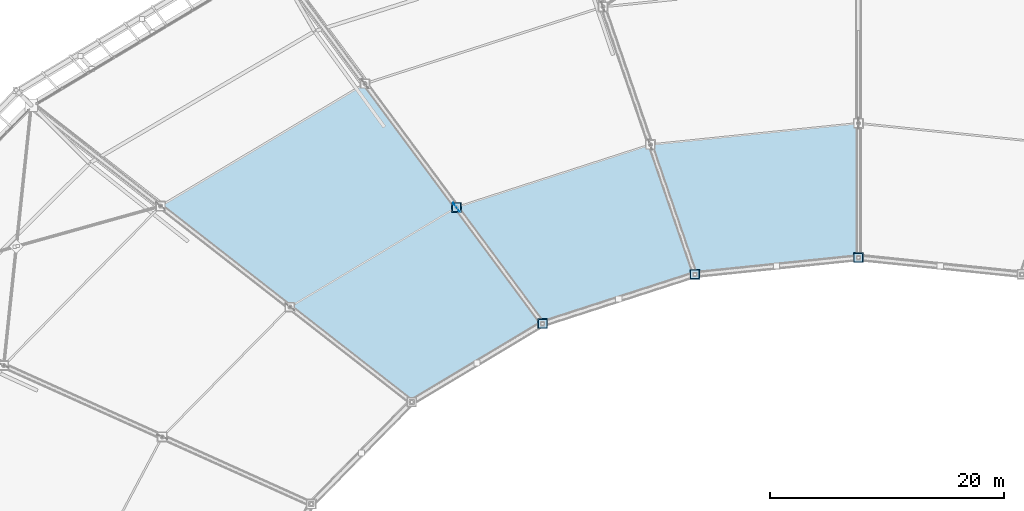
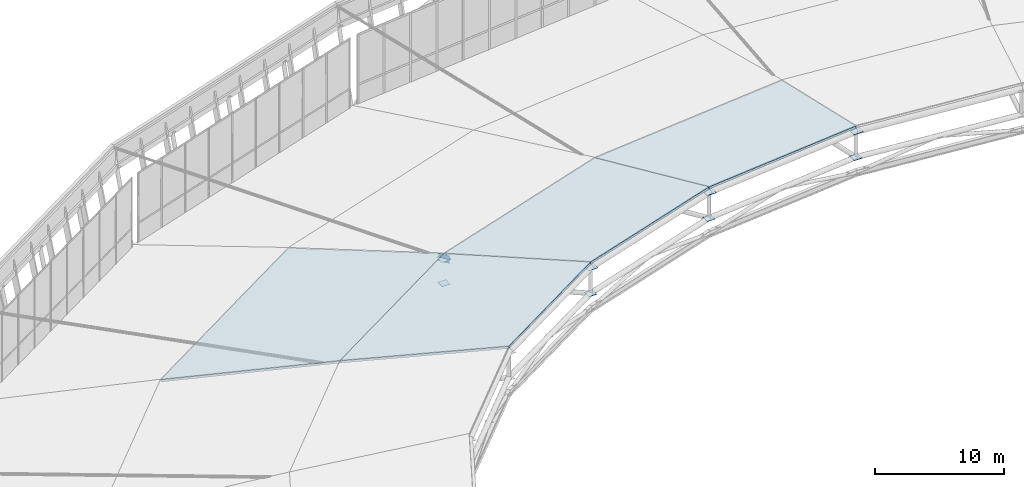
# One storey, part 88 of 115: 9 plates, 4 slabs, 1 element without a shape of its own.
"""IFC4 building model written with IfcOpenShell, lengths in metres."""

import ifcopenshell
import ifcopenshell.guid

model = None  # the IFC model being written
_history = None  # IfcOwnerHistory: only IFC2X3 demands one
_inside = {}  # id of a spatial element -> (the spatial element, [elements in it])
_under = {}  # id of a project, library or spatial element -> (it, [spatial elements below it])
_declared = {}  # id of a project -> (the project, [libraries it declares])
_typed = {}  # id of a type object -> (the type object, [elements of that type])
_made_of = {}  # id of a material, layer set ... -> (it, [elements and type objects made of it])


def new_model(schema):
    """Start an empty IFC model of exactly this schema.

    Asked for "IFC4X3", IfcOpenShell would pick the latest addendum, in which some entities
    have other attributes; the version numbers below select the first issue.
    IFC2X3 requires an IfcOwnerHistory on every rooted entity: one is made here for all.
    """
    global model, _history
    if schema == "IFC4X3":
        model = ifcopenshell.file(schema_version=(4, 3, 0, 0))
    else:
        model = ifcopenshell.file(schema=schema)
    _inside.clear()
    _under.clear()
    _declared.clear()
    _typed.clear()
    _made_of.clear()
    _history = None
    if model.schema == "IFC2X3":
        org = make("IfcOrganization", Name="unknown")
        user = make(
            "IfcPersonAndOrganization",
            ThePerson=make("IfcPerson", FamilyName="unknown"),
            TheOrganization=org,
        )
        app = make(
            "IfcApplication",
            ApplicationDeveloper=org,
            Version="unknown",
            ApplicationFullName="unknown",
            ApplicationIdentifier="unknown",
        )
        _history = make(
            "IfcOwnerHistory",
            OwningUser=user,
            OwningApplication=app,
            ChangeAction="ADDED",
            CreationDate=0,
        )
    return model


def make(cls, **values):
    """One entity of the class cls with the attributes given. An attribute that is None is left unset."""
    return model.create_entity(
        cls, **{name: value for name, value in values.items() if value is not None}
    )


def rooted(cls, **values):
    """An entity with a GlobalId (a new one), such as an element, a storey or a relation."""
    return make(cls, GlobalId=ifcopenshell.guid.new(), OwnerHistory=_history, **values)


def si_unit(unit_type, name, prefix=None):
    """IfcSIUnit, for example si_unit("LENGTHUNIT", "METRE", prefix="MILLI")."""
    return make("IfcSIUnit", UnitType=unit_type, Prefix=prefix, Name=name)


def assignment(units):
    """IfcUnitAssignment: the units of a project."""
    return None if units is None else make("IfcUnitAssignment", Units=units)


def point(xyz):
    """IfcCartesianPoint."""
    return None if xyz is None else make("IfcCartesianPoint", Coordinates=xyz)


def direction(xyz):
    """IfcDirection."""
    return None if xyz is None else make("IfcDirection", DirectionRatios=xyz)


def frame(location, z_axis=None, x_axis=None):
    """IfcAxis2Placement3D, a coordinate frame: its origin and axes. An axis left out is left unset."""
    return make(
        "IfcAxis2Placement3D",
        Location=point(location),
        Axis=direction(z_axis),
        RefDirection=direction(x_axis),
    )


def frame_2d(location, x_axis=None):
    """IfcAxis2Placement2D, a coordinate frame in the plane: its origin and x axis."""
    return make(
        "IfcAxis2Placement2D", Location=point(location), RefDirection=direction(x_axis)
    )


def origin():
    """The frame at (0, 0, 0) with its axes left unset."""
    return frame((0.0, 0.0, 0.0))


def origin_2d():
    """The frame at (0, 0) in the plane with its x axis left unset."""
    return frame_2d((0.0, 0.0))


def place(relative_to, where):
    """IfcLocalPlacement: puts the frame where relative to a parent placement (None: the world)."""
    return make(
        "IfcLocalPlacement", PlacementRelTo=relative_to, RelativePlacement=where
    )


def context(
    kind, dimensions, precision=None, world=None, true_north=None, identifier=None
):
    """IfcGeometricRepresentationContext, for example the 3D "Model" context."""
    return make(
        "IfcGeometricRepresentationContext",
        ContextIdentifier=identifier,
        ContextType=kind,
        CoordinateSpaceDimension=dimensions,
        Precision=precision,
        WorldCoordinateSystem=world,
        TrueNorth=true_north,
    )


def subcontext(parent, identifier, kind, view, scale=None):
    """IfcGeometricRepresentationSubContext, for example "Body" below "Model"."""
    return make(
        "IfcGeometricRepresentationSubContext",
        ContextIdentifier=identifier,
        ContextType=kind,
        ParentContext=parent,
        TargetScale=scale,
        TargetView=view,
    )


def project(units=None, contexts=None):
    """IfcProject with its units and contexts."""
    return rooted(
        "IfcProject",
        Name="project",
        RepresentationContexts=contexts,
        UnitsInContext=assignment(units),
    )


def spatial(cls, under=None, at=None, **own):
    """A site, building, storey or space (cls), placed at a placement, below another one or the project."""
    s = rooted(cls, ObjectPlacement=at, **own)
    if under is not None:
        _under.setdefault(under.id(), (under, []))[1].append(s)
    return s


def polyline(points):
    """IfcPolyline through the points."""
    return make("IfcPolyline", Points=[point(p) for p in points])


def profile(cls, at=None, kind="AREA", **sizes):
    """A parametric profile (cls). Its sizes go by their IFC names, for example OverallWidth=200.0."""
    return make(cls, ProfileType=kind, Position=at, **sizes)


def rectangle(**sizes):
    """IfcRectangleProfileDef."""
    return profile("IfcRectangleProfileDef", **sizes)


def outline(outer, holes=None, kind="AREA"):
    """IfcArbitraryClosedProfileDef: a profile drawn as a closed curve; with holes, ...WithVoids."""
    if holes is None:
        return make("IfcArbitraryClosedProfileDef", ProfileType=kind, OuterCurve=outer)
    return make(
        "IfcArbitraryProfileDefWithVoids",
        ProfileType=kind,
        OuterCurve=outer,
        InnerCurves=holes,
    )


def extrude(swept, where, along, depth):
    """IfcExtrudedAreaSolid: the profile swept, set in the frame where, extruded along a direction by depth."""
    return make(
        "IfcExtrudedAreaSolid",
        SweptArea=swept,
        Position=where,
        ExtrudedDirection=direction(along),
        Depth=depth,
    )


def shape(context_of_items, identifier, shape_type, items):
    """IfcShapeRepresentation: the items that make up one representation, for example the "Body"."""
    return make(
        "IfcShapeRepresentation",
        ContextOfItems=context_of_items,
        RepresentationIdentifier=identifier,
        RepresentationType=shape_type,
        Items=items,
    )


def material(Name=None, Category=None):
    """IfcMaterial."""
    return make("IfcMaterial", Name=Name, Category=Category)


def layer(
    of_material, thickness, ventilated=None, Name=None, Category=None, Priority=None
):
    """IfcMaterialLayer: one layer of a wall or slab, of a material (None: an air gap)."""
    return make(
        "IfcMaterialLayer",
        Material=of_material,
        LayerThickness=thickness,
        IsVentilated=ventilated,
        Name=Name,
        Category=Category,
        Priority=Priority,
    )


def layer_set(layers, Name=None):
    """IfcMaterialLayerSet."""
    return make("IfcMaterialLayerSet", MaterialLayers=layers, LayerSetName=Name)


def made_of(thing, what):
    """Note that an element or type object is made of a material, layer set ...; save() writes the relation."""
    if what is not None:
        _made_of.setdefault(what.id(), (what, []))[1].append(thing)
    return thing


def type_object(cls, material=None, **own):
    """A type object (cls), such as IfcWallType, which elements share."""
    return made_of(rooted(cls, **own), material)


def element(
    cls,
    number,
    at=None,
    inside=None,
    cuts=None,
    type_object=None,
    material=None,
    context=None,
    identifier="Body",
    shape_type=None,
    held_by="IfcProductDefinitionShape",
    body=None,
    shapes=None,
    **own,
):
    """One element of the class cls, such as IfcWall. Its Tag is "e" and its number.

    at: its placement. inside: the storey or other place that contains it. cuts: it is an
    opening in that element (IfcRelVoidsElement). A single representation is given by context,
    identifier, shape_type and body (its items); several are given by shapes. held_by: the class
    of the entity that holds the representations. save() writes the other relations.
    """
    e = rooted(cls, Tag="e%d" % number, ObjectPlacement=at, **own)
    if body is not None:
        shapes = [shape(context, identifier, shape_type, body)]
    if shapes is not None:
        e.Representation = make(held_by, Representations=shapes)
    if inside is not None:
        _inside.setdefault(inside.id(), (inside, []))[1].append(e)
    if cuts is not None:
        rooted(
            "IfcRelVoidsElement", RelatingBuildingElement=cuts, RelatedOpeningElement=e
        )
    if type_object is not None:
        _typed.setdefault(type_object.id(), (type_object, []))[1].append(e)
    return made_of(e, material)


def aggregate(whole, parts):
    """IfcRelAggregates: a whole, such as a stair, and the parts it consists of."""
    return rooted("IfcRelAggregates", RelatingObject=whole, RelatedObjects=parts)


def save(model, path):
    """Write the relations noted so far, then the file.

    IfcRelAggregates (storeys below a building ...), IfcRelContainedInSpatialStructure (elements
    in a storey), IfcRelDefinesByType, IfcRelAssociatesMaterial and IfcRelDeclares: one each for
    every whole, place, type object, material and project.
    """
    for whole, parts in _under.values():
        aggregate(whole, parts)
    for where, things in _inside.values():
        rooted(
            "IfcRelContainedInSpatialStructure",
            RelatedElements=things,
            RelatingStructure=where,
        )
    for kind, things in _typed.values():
        rooted("IfcRelDefinesByType", RelatedObjects=things, RelatingType=kind)
    for what, things in _made_of.values():
        rooted("IfcRelAssociatesMaterial", RelatedObjects=things, RelatingMaterial=what)
    for by, libraries in _declared.values():
        rooted("IfcRelDeclares", RelatingContext=by, RelatedDefinitions=libraries)
    model.write(path)


model = new_model("IFC4")

# Units and contexts
model_context = context("Model", 3, precision=1e-05, world=origin(), true_north=direction((0.0, 1.0)))
body_context = subcontext(model_context, "Body", "Model", "MODEL_VIEW")
ifc_project = project(units=[si_unit("LENGTHUNIT", "METRE"), si_unit("AREAUNIT", "SQUARE_METRE"), si_unit("VOLUMEUNIT", "CUBIC_METRE"), si_unit("PLANEANGLEUNIT", "RADIAN"), si_unit("MASSUNIT", "GRAM", prefix="KILO")], contexts=[model_context])

# Site, building, storey
site_placement = place(None, origin())
site = spatial("IfcSite", under=ifc_project, at=site_placement, CompositionType="ELEMENT")
building_placement = place(site_placement, origin())
building = spatial("IfcBuilding", under=site, at=building_placement, Name="Zlatoyarsky Gate Stadium", CompositionType="ELEMENT")
storey_placement = place(building_placement, frame((0.0, 0.0, 31.800048828125)))
storey = spatial("IfcBuildingStorey", under=building, at=storey_placement, Name="RF", CompositionType="ELEMENT", Elevation=31.800048828125)

# Roof, slabs
ifc_material_1 = material(Name="Standing-seam aluminium-zinc roofing with mineral wool insulation", Category="aluminium")
ifc_layer_1 = layer(ifc_material_1, 0.080078125)
ifc_layer_set_1 = layer_set([ifc_layer_1], Name="Standing-seam aluminium-zinc roofing with mineral wool insulation")
roof_type = type_object("IfcRoofType", Name="STADIUM BARREL VAULT ROOF ASSEMBLY", PredefinedType="BARREL_ROOF", material=ifc_layer_set_1)
roof_placement = place(storey_placement, origin())
roof = element("IfcRoof", 1, at=roof_placement, inside=storey, type_object=roof_type, Name="Stadium barrel arch roof sector 3", PredefinedType="BARREL_ROOF")
ifc_material_2 = material(Name="Concrete C40/50", Category="concrete")
ifc_layer_2 = layer(ifc_material_2, 0.199951171875)
ifc_layer_set_2 = layer_set([ifc_layer_2], Name="Concrete C40/50")
slab_type = type_object("IfcSlabType", Name="COMPOSITE STADIUM ROOF DECK SLAB 200", PredefinedType="ROOF", material=ifc_layer_set_2)
slab_1_placement = place(storey_placement, frame((111.0, 133.62060546875, 6.75), z_axis=(-0.023082163871, 0.224749293914, 0.974143197172), x_axis=(-0.994767639203, -0.102163320197, -2.62367e-07)))
slab_1 = element("IfcSlab", 2, at=slab_1_placement, type_object=slab_type, Name="Stadium arched roof deck sector 06 bay 3", PredefinedType="ROOF", context=body_context, shape_type="SweptSolid", body=[
    extrude(outline(polyline([(0.0, 0.0), (17.884594163179372, 2.220446049250313e-16), (15.22692324049982, 11.728805553058613), (1.1734058962268152, 11.728768464324467), (0.0, 0.0)])), origin(), (0.0, 0.0, -1.0), 0.199951171875),
])
slab_2_placement = place(storey_placement, frame((93.208984375, 131.79345703125, 6.75), z_axis=(-0.067758031107, 0.209707146145, 0.975413636401), x_axis=(-0.951560523066, -0.307461495055, 1.030491e-06)))
slab_2 = element("IfcSlab", 3, at=slab_2_placement, type_object=slab_type, Name="Stadium arched roof deck sector 07 bay 3", PredefinedType="ROOF", context=body_context, shape_type="SweptSolid", body=[
    extrude(outline(polyline([(0.0, 0.0), (17.42229735883615, 0.0), (13.475337252380454, 12.024067892131606), (-0.21537678755208206, 12.024213374428413), (0.0, 0.0)])), origin(), (0.0, 0.0, -1.0), 0.199951171875),
])
slab_3_placement = place(storey_placement, frame((68.808349609375, 137.00537109375, 3.599853515625), z_axis=(-0.120203617004, 0.200821206827, 0.972225248257), x_axis=(-0.858036147249, -0.513589300914, 5.91224e-07)))
slab_3 = element("IfcSlab", 4, at=slab_3_placement, type_object=slab_type, Name="Stadium arched roof deck sector 08 bay 2", PredefinedType="ROOF", context=body_context, shape_type="SweptSolid", body=[
    extrude(outline(polyline([(0.0, 0.0), (20.367813062696413, -3.552713678800501e-15), (15.307838844274228, 13.45941398962338), (-1.2838631059696746, 13.459507352668387), (0.0, 0.0)])), origin(), (0.0, 0.0, -1.0), 0.199951171875),
])
slab_4_placement = place(storey_placement, frame((76.630615234375, 126.436767578125, 6.75), z_axis=(-0.108033387963, 0.180488381017, 0.977626069314), x_axis=(-0.858038956174, -0.51358460811, -8.19339e-07)))
slab_4 = element("IfcSlab", 5, at=slab_4_placement, type_object=slab_type, Name="Stadium arched roof deck sector 08 bay 3", PredefinedType="ROOF", context=body_context, shape_type="SweptSolid", body=[
    extrude(outline(polyline([(0.0, 0.0), (16.59170195050538, -1.7763568394002505e-15), (11.82945229089854, 12.597611891195022), (-1.2082156918828852, 12.597496481387735), (0.0, 0.0)])), origin(), (0.0, 0.0, -1.0), 0.199951171875),
])
aggregate(roof, [slab_1, slab_2, slab_3, slab_4])

# Plates
ifc_material_3 = material(Name="Steel S355", Category="steel")
ifc_layer_3 = layer(ifc_material_3, 0.02392578125)
ifc_layer_set_3 = layer_set([ifc_layer_3], Name="Steel S355")
plate_type_1 = type_object("IfcPlateType", Name="STEEL HOLLOW CHORD SPLICE SHEET 24", PredefinedType="SHEET", material=ifc_layer_set_3)
plate_1_placement = place(storey_placement, frame((76.630615234375, 126.436767578125, 6.2880859375), z_axis=(0.0, 0.0, 1.0), x_axis=(1.0, 0.0, 0.0)))
element("IfcPlate", 6, at=plate_1_placement, inside=storey, type_object=plate_type_1, Name="Node closure plate ND-SP1 NCAP-TCH-08-2", PredefinedType="SHEET", context=body_context, shape_type="SweptSolid", body=[
    extrude(rectangle(XDim=0.85009765625, YDim=0.85009765625, at=origin_2d()), origin(), (0.0, 0.0, 1.0), 0.02392578125),
])
plate_2_placement = place(storey_placement, frame((76.630615234375, 126.436767578125, 3.93798828125), z_axis=(0.0, 0.0, 1.0), x_axis=(1.0, 0.0, 0.0)))
element("IfcPlate", 7, at=plate_2_placement, inside=storey, type_object=plate_type_1, Name="Node closure plate ND-SP1 NCAP-BCH-08-2", PredefinedType="SHEET", context=body_context, shape_type="SweptSolid", body=[
    extrude(rectangle(XDim=0.719970703125, YDim=0.719970703125, at=origin_2d()), origin(), (0.0, 0.0, 1.0), 0.02392578125),
])
ifc_layer_4 = layer(ifc_material_3, 0.031982421875)
ifc_layer_set_4 = layer_set([ifc_layer_4], Name="Steel S355")
plate_type_2 = type_object("IfcPlateType", Name="STEEL RADIAL TRUSS GUSSET PLATE 32", PredefinedType="USERDEFINED", material=ifc_layer_set_4)
plate_3_placement = place(storey_placement, frame((76.630615234375, 126.436767578125, 5.93994140625), z_axis=(0.0, 0.0, 1.0), x_axis=(0.594913145096, -0.8037899911, 0.0)))
element("IfcPlate", 8, at=plate_3_placement, inside=storey, type_object=plate_type_2, Name="Radial truss gusset plate ND-WB1 08.2", ObjectType="GUSSET PLATE", PredefinedType="USERDEFINED", context=body_context, shape_type="SweptSolid", body=[
    extrude(rectangle(XDim=0.919921875, YDim=0.031982421875, at=origin_2d()), origin(), (0.0, 0.0, 1.0), 0.719970703125),
])
ifc_layer_5 = layer(ifc_material_3, 0.02392578125)
ifc_layer_set_5 = layer_set([ifc_layer_5], Name="Steel S355")
plate_type_3 = type_object("IfcPlateType", Name="STEEL TENSION RING NODE CAP SHEET 24", PredefinedType="SHEET", material=ifc_layer_set_5)
plate_4_placement = place(storey_placement, frame((111.0, 122.135009765625, 8.93798828125), z_axis=(0.0, 0.0, 1.0), x_axis=(1.0, 0.0, 0.0)))
element("IfcPlate", 9, at=plate_4_placement, inside=storey, type_object=plate_type_3, Name="Node closure plate ND-TR1 NCAP-TCH-06-3", PredefinedType="SHEET", context=body_context, shape_type="SweptSolid", body=[
    extrude(rectangle(XDim=0.85009765625, YDim=0.85009765625, at=origin_2d()), origin(), (0.0, 0.0, 1.0), 0.02392578125),
])
plate_5_placement = place(storey_placement, frame((111.0, 122.135009765625, 6.43798828125), z_axis=(0.0, 0.0, 1.0), x_axis=(1.0, 0.0, 0.0)))
element("IfcPlate", 10, at=plate_5_placement, inside=storey, type_object=plate_type_3, Name="Node closure plate ND-TR1 NCAP-BCH-06-3", PredefinedType="SHEET", context=body_context, shape_type="SweptSolid", body=[
    extrude(rectangle(XDim=0.719970703125, YDim=0.719970703125, at=origin_2d()), origin(), (0.0, 0.0, 1.0), 0.02392578125),
])
plate_6_placement = place(storey_placement, frame((97.02001953125, 120.69921875, 8.93798828125), z_axis=(0.0, 0.0, 1.0), x_axis=(1.0, 0.0, 0.0)))
element("IfcPlate", 11, at=plate_6_placement, inside=storey, type_object=plate_type_3, Name="Node closure plate ND-TR1 NCAP-TCH-07-3", PredefinedType="SHEET", context=body_context, shape_type="SweptSolid", body=[
    extrude(rectangle(XDim=0.85009765625, YDim=0.85009765625, at=origin_2d()), origin(), (0.0, 0.0, 1.0), 0.02392578125),
])
plate_7_placement = place(storey_placement, frame((97.02001953125, 120.69921875, 6.43798828125), z_axis=(0.0, 0.0, 1.0), x_axis=(1.0, 0.0, 0.0)))
element("IfcPlate", 12, at=plate_7_placement, inside=storey, type_object=plate_type_3, Name="Node closure plate ND-TR1 NCAP-BCH-07-3", PredefinedType="SHEET", context=body_context, shape_type="SweptSolid", body=[
    extrude(rectangle(XDim=0.719970703125, YDim=0.719970703125, at=origin_2d()), origin(), (0.0, 0.0, 1.0), 0.02392578125),
])
plate_8_placement = place(storey_placement, frame((83.992431640625, 116.489990234375, 8.93798828125), z_axis=(0.0, 0.0, 1.0), x_axis=(1.0, 0.0, 0.0)))
element("IfcPlate", 13, at=plate_8_placement, inside=storey, type_object=plate_type_3, Name="Node closure plate ND-TR1 NCAP-TCH-08-3", PredefinedType="SHEET", context=body_context, shape_type="SweptSolid", body=[
    extrude(rectangle(XDim=0.85009765625, YDim=0.85009765625, at=origin_2d()), origin(), (0.0, 0.0, 1.0), 0.02392578125),
])
plate_9_placement = place(storey_placement, frame((83.992431640625, 116.489990234375, 6.43798828125), z_axis=(0.0, 0.0, 1.0), x_axis=(1.0, 0.0, 0.0)))
element("IfcPlate", 14, at=plate_9_placement, inside=storey, type_object=plate_type_3, Name="Node closure plate ND-TR1 NCAP-BCH-08-3", PredefinedType="SHEET", context=body_context, shape_type="SweptSolid", body=[
    extrude(rectangle(XDim=0.719970703125, YDim=0.719970703125, at=origin_2d()), origin(), (0.0, 0.0, 1.0), 0.02392578125),
])

save(model, "model.ifc")
